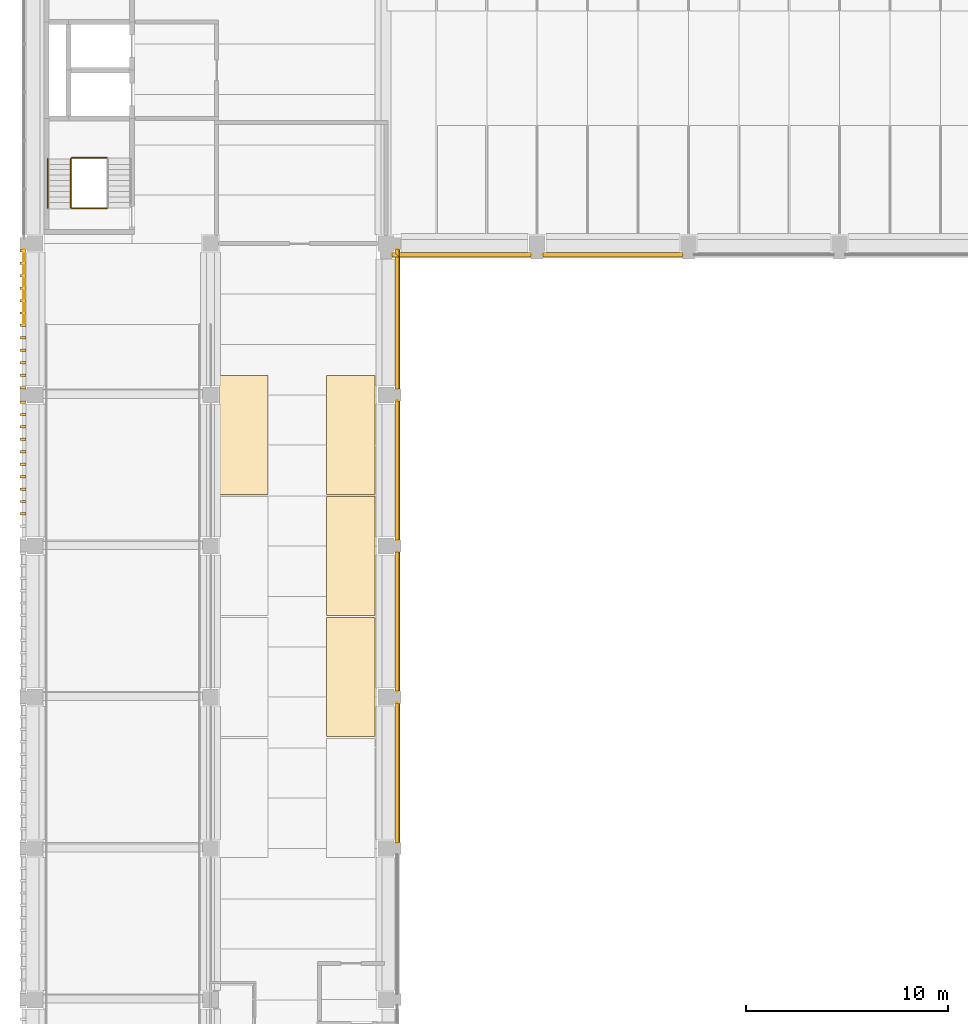
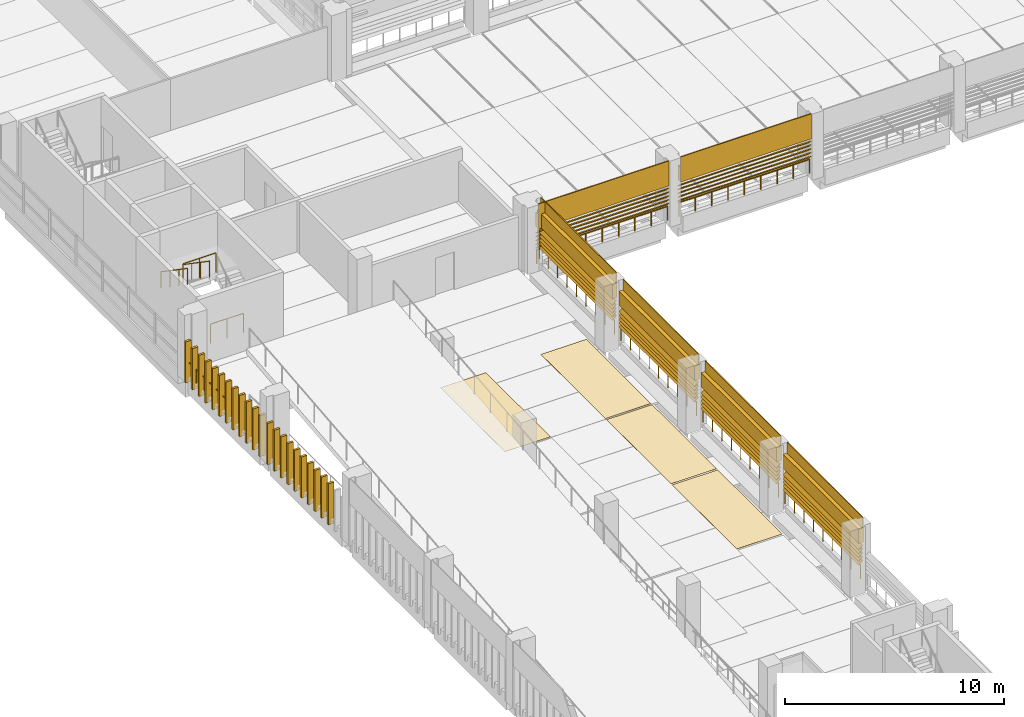
# One storey, part 43 of 61: 32 coverings, 30 shading devices, 11 railings.
"""IFC4 building model written with IfcOpenShell, lengths in metres."""

from ifc_helpers import new_model, si_unit, direction, frame, origin, origin_2d, place, context, subcontext, project, spatial, polyline, circle, outline, extrude, material, layer, layer_set, type_object, element, save


model = new_model("IFC4")

# Units and contexts
model_context = context("Model", 3, precision=1e-05, world=origin(), true_north=direction((0.0, 1.0)))
body_context = subcontext(model_context, "Body", "Model", "MODEL_VIEW")
ifc_project = project(units=[si_unit("LENGTHUNIT", "METRE"), si_unit("AREAUNIT", "SQUARE_METRE"), si_unit("VOLUMEUNIT", "CUBIC_METRE"), si_unit("PLANEANGLEUNIT", "RADIAN"), si_unit("MASSUNIT", "GRAM", prefix="KILO")], contexts=[model_context])

# Site, building, storey
site_placement = place(None, origin())
site = spatial("IfcSite", under=ifc_project, at=site_placement, CompositionType="ELEMENT")
building_placement = place(site_placement, origin())
building = spatial("IfcBuilding", under=site, at=building_placement, Name="Cour d'Honneur Mobility Palace", CompositionType="ELEMENT")
storey_placement = place(building_placement, frame((0.0, 0.0, 11.89990234375)))
storey = spatial("IfcBuildingStorey", under=building, at=storey_placement, Name="L03", CompositionType="ELEMENT", Elevation=11.89990234375)

# Railings
ifc_material_1 = material(Name="Painted steel", Category="steel")
railing_type_1 = type_object("IfcRailingType", Name="Balustrade", PredefinedType="BALUSTRADE", material=ifc_material_1)
for number, where, name in (
    (1, (17.949951171875, 15.300048828125, 0.300048828125), "Balustrade BAL-135"),
    (2, (17.949951171875, 22.800048828125, 0.300048828125), "Balustrade BAL-136"),
    (3, (17.949951171875, 30.300048828125, 0.300048828125), "Balustrade BAL-137"),
    (4, (17.949951171875, 37.800048828125, 0.300048828125), "Balustrade BAL-138"),
):
    element("IfcRailing", number, at=place(storey_placement, frame(where)), inside=storey, type_object=railing_type_1, Name=name, PredefinedType="BALUSTRADE", context=body_context, shape_type="SweptSolid", body=[
        extrude(circle(Radius=0.02392578125, at=origin_2d()), frame((0.0, 0.0, 0.77587890625), z_axis=(0.0, 1.0, 0.0), x_axis=(-1.0, 0.0, 0.0)), (0.0, 0.0, 1.0), 6.89990234375),
        extrude(circle(Radius=0.02099609375, at=origin_2d()), origin(), (0.0, 0.0, 1.0), 0.751953125),
        extrude(circle(Radius=0.02099609375, at=origin_2d()), frame((0.0, 0.862548828125, 0.0)), (0.0, 0.0, 1.0), 0.751953125),
        extrude(circle(Radius=0.02099609375, at=origin_2d()), frame((0.0, 1.72509765625, 0.0)), (0.0, 0.0, 1.0), 0.751953125),
        extrude(circle(Radius=0.02099609375, at=origin_2d()), frame((0.0, 2.58740234375, 0.0)), (0.0, 0.0, 1.0), 0.751953125),
        extrude(circle(Radius=0.02099609375, at=origin_2d()), frame((0.0, 3.449951171875, 0.0)), (0.0, 0.0, 1.0), 0.751953125),
        extrude(circle(Radius=0.02099609375, at=origin_2d()), frame((0.0, 4.3125, 0.0)), (0.0, 0.0, 1.0), 0.751953125),
        extrude(circle(Radius=0.02099609375, at=origin_2d()), frame((0.0, 5.1748046875, 0.0)), (0.0, 0.0, 1.0), 0.751953125),
        extrude(circle(Radius=0.02099609375, at=origin_2d()), frame((0.0, 6.037353515625, 0.0)), (0.0, 0.0, 1.0), 0.751953125),
        extrude(circle(Radius=0.02099609375, at=origin_2d()), frame((0.0, 6.89990234375, 0.0)), (0.0, 0.0, 1.0), 0.751953125),
    ])
for number, where, name in (
    (5, (17.699951171875, 44.449951171875, 0.300048828125), "Balustrade BAL-139"),
    (6, (25.199951171875, 44.449951171875, 0.300048828125), "Balustrade BAL-140"),
):
    element("IfcRailing", number, at=place(storey_placement, frame(where)), inside=storey, type_object=railing_type_1, Name=name, PredefinedType="BALUSTRADE", context=body_context, shape_type="SweptSolid", body=[
        extrude(circle(Radius=0.02392578125, at=origin_2d()), frame((0.0, 0.0, 0.77587890625), z_axis=(1.0, 0.0, 0.0), x_axis=(0.0, 1.0, 0.0)), (0.0, 0.0, 1.0), 6.900146484375),
        extrude(circle(Radius=0.02099609375, at=origin_2d()), origin(), (0.0, 0.0, 1.0), 0.751953125),
        extrude(circle(Radius=0.02099609375, at=origin_2d()), frame((0.862548828125, 0.0, 0.0)), (0.0, 0.0, 1.0), 0.751953125),
        extrude(circle(Radius=0.02099609375, at=origin_2d()), frame((1.72509765625, 0.0, 0.0)), (0.0, 0.0, 1.0), 0.751953125),
        extrude(circle(Radius=0.02099609375, at=origin_2d()), frame((2.587646484375, 0.0, 0.0)), (0.0, 0.0, 1.0), 0.751953125),
        extrude(circle(Radius=0.02099609375, at=origin_2d()), frame((3.4501953125, 0.0, 0.0)), (0.0, 0.0, 1.0), 0.751953125),
        extrude(circle(Radius=0.02099609375, at=origin_2d()), frame((4.3125, 0.0, 0.0)), (0.0, 0.0, 1.0), 0.751953125),
        extrude(circle(Radius=0.02099609375, at=origin_2d()), frame((5.175048828125, 0.0, 0.0)), (0.0, 0.0, 1.0), 0.751953125),
        extrude(circle(Radius=0.02099609375, at=origin_2d()), frame((6.03759765625, 0.0, 0.0)), (0.0, 0.0, 1.0), 0.751953125),
        extrude(circle(Radius=0.02099609375, at=origin_2d()), frame((6.900146484375, 0.0, 0.0)), (0.0, 0.0, 1.0), 0.751953125),
    ])
railing_placement = place(storey_placement, frame((-0.550048828125, 44.699951171875, 0.300048828125)))
element("IfcRailing", 7, at=railing_placement, inside=storey, type_object=railing_type_1, Name="Balustrade BAL-194", PredefinedType="BALUSTRADE", context=body_context, shape_type="SweptSolid", body=[
    extrude(circle(Radius=0.02392578125, at=origin_2d()), frame((0.0, 0.0, 0.77587890625), z_axis=(0.0, -1.0, 0.0), x_axis=(1.0, 0.0, 0.0)), (0.0, 0.0, 1.0), 3.699951171875),
    extrude(circle(Radius=0.02099609375, at=origin_2d()), origin(), (0.0, 0.0, 1.0), 0.751953125),
    extrude(circle(Radius=0.02099609375, at=origin_2d()), frame((0.0, -0.739990234375, 0.0)), (0.0, 0.0, 1.0), 0.751953125),
    extrude(circle(Radius=0.02099609375, at=origin_2d()), frame((0.0, -1.47998046875, 0.0)), (0.0, 0.0, 1.0), 0.751953125),
    extrude(circle(Radius=0.02099609375, at=origin_2d()), frame((0.0, -2.219970703125, 0.0)), (0.0, 0.0, 1.0), 0.751953125),
    extrude(circle(Radius=0.02099609375, at=origin_2d()), frame((0.0, -2.9599609375, 0.0)), (0.0, 0.0, 1.0), 0.751953125),
    extrude(circle(Radius=0.02099609375, at=origin_2d()), frame((0.0, -3.699951171875, 0.0)), (0.0, 0.0, 1.0), 0.751953125),
])
ifc_material_2 = material(Name="Painted steel", Category="steel")
railing_type_2 = type_object("IfcRailingType", Name="Guardrail 1100", PredefinedType="GUARDRAIL", material=ifc_material_2)
for number, where, name in (
    (8, (1.824951171875, 46.7548828125, 0.0), "Guard ST-CW1"),
    (9, (1.824951171875, 49.264892578125, 1.85009765625), "Landing guard ST-CW1"),
):
    element("IfcRailing", number, at=place(storey_placement, frame(where)), inside=storey, type_object=railing_type_2, Name=name, PredefinedType="GUARDRAIL", context=body_context, shape_type="SweptSolid", body=[
        extrude(circle(Radius=0.02490234375, at=origin_2d()), frame((0.0, 0.0, 1.0751953125), z_axis=(1.0, 0.0, 0.0), x_axis=(0.0, 1.0, 0.0)), (0.0, 0.0, 1.0), 1.72509765625),
        extrude(circle(Radius=0.02099609375, at=origin_2d()), origin(), (0.0, 0.0, 1.0), 1.050048828125),
        extrude(circle(Radius=0.02099609375, at=origin_2d()), frame((0.862548828125, 0.0, 0.0)), (0.0, 0.0, 1.0), 1.050048828125),
        extrude(circle(Radius=0.02099609375, at=origin_2d()), frame((1.72509765625, 0.0, 0.0)), (0.0, 0.0, 1.0), 1.050048828125),
    ])
ifc_material_3 = material(Name="Stainless steel", Category="steel")
railing_type_3 = type_object("IfcRailingType", Name="Handrail round 50", PredefinedType="HANDRAIL", material=ifc_material_3)
for number, where, name in (
    (10, (1.77490234375, 49.205078125, 2.03515625), "Handrail ST-CW1"),
    (11, (0.625, 49.205078125, 2.03515625), "Handrail ST-CW1"),
):
    element("IfcRailing", number, at=place(storey_placement, frame(where)), inside=storey, type_object=railing_type_3, Name=name, PredefinedType="HANDRAIL", context=body_context, shape_type="SweptSolid", body=[
        extrude(circle(Radius=0.02490234375, at=origin_2d()), frame((0.0, 0.0, 0.89501953125), z_axis=(0.0, -0.824945253146, 0.565212640793), x_axis=(1.0, 0.0, 0.0)), (0.0, 0.0, 1.0), 2.94580078125),
        extrude(circle(Radius=0.02099609375, at=origin_2d()), origin(), (0.0, 0.0, 1.0), 0.869873046875),
        extrude(circle(Radius=0.02099609375, at=origin_2d()), frame((0.0, -0.81005859375, 0.554931640625)), (0.0, 0.0, 1.0), 0.869873046875),
        extrude(circle(Radius=0.02099609375, at=origin_2d()), frame((0.0, -1.6201171875, 1.110107421875)), (0.0, 0.0, 1.0), 0.869873046875),
        extrude(circle(Radius=0.02099609375, at=origin_2d()), frame((0.0, -2.43017578125, 1.6650390625)), (0.0, 0.0, 1.0), 0.869873046875),
    ])

# Coverings
ifc_material_4 = material(Name="Parking marking paint")
ifc_layer_1 = layer(ifc_material_4, 0.0048828125)
ifc_layer_set_1 = layer_set([ifc_layer_1], Name="Parking marking paint")
covering_type_1 = type_object("IfcCoveringType", Name="Parking bay marking", PredefinedType="FLOORING", material=ifc_layer_set_1)
covering_1_placement = place(storey_placement, origin())
element("IfcCovering", 12, at=covering_1_placement, inside=storey, type_object=covering_type_1, Name="Parking bay marking L03 89", PredefinedType="FLOORING", context=body_context, shape_type="SweptSolid", body=[
    extrude(outline(polyline([(11.550048828125, 32.550048828125), (9.14990234375, 32.550048828125), (9.14990234375, 38.449951171875), (11.550048828125, 38.449951171875), (11.550048828125, 32.550048828125)])), origin(), (0.0, 0.0, 1.0), 0.005126953125),
])
covering_2_placement = place(storey_placement, origin())
element("IfcCovering", 13, at=covering_2_placement, inside=storey, type_object=covering_type_1, Name="Parking bay marking L03 91", PredefinedType="FLOORING", context=body_context, shape_type="SweptSolid", body=[
    extrude(outline(polyline([(16.85009765625, 20.550048828125), (14.449951171875, 20.550048828125), (14.449951171875, 26.449951171875), (16.85009765625, 26.449951171875), (16.85009765625, 20.550048828125)])), origin(), (0.0, 0.0, 1.0), 0.005126953125),
])
covering_3_placement = place(storey_placement, origin())
element("IfcCovering", 14, at=covering_3_placement, inside=storey, type_object=covering_type_1, Name="Parking bay marking L03 92", PredefinedType="FLOORING", context=body_context, shape_type="SweptSolid", body=[
    extrude(outline(polyline([(16.85009765625, 26.550048828125), (14.449951171875, 26.550048828125), (14.449951171875, 32.449951171875), (16.85009765625, 32.449951171875), (16.85009765625, 26.550048828125)])), origin(), (0.0, 0.0, 1.0), 0.005126953125),
])
covering_4_placement = place(storey_placement, origin())
element("IfcCovering", 15, at=covering_4_placement, inside=storey, type_object=covering_type_1, Name="Parking bay marking L03 93", PredefinedType="FLOORING", context=body_context, shape_type="SweptSolid", body=[
    extrude(outline(polyline([(16.85009765625, 32.550048828125), (14.449951171875, 32.550048828125), (14.449951171875, 38.449951171875), (16.85009765625, 38.449951171875), (16.85009765625, 32.550048828125)])), origin(), (0.0, 0.0, 1.0), 0.005126953125),
])
ifc_material_5 = material(Name="Cast limestone", Category="masonry")
ifc_layer_2 = layer(ifc_material_5, 0.1201171875)
ifc_layer_set_2 = layer_set([ifc_layer_2], Name="Cast limestone")
covering_type_2 = type_object("IfcCoveringType", Name="Ramp screen fin", PredefinedType="CLADDING", material=ifc_layer_set_2)
covering_5_placement = place(storey_placement, origin())
element("IfcCovering", 16, at=covering_5_placement, inside=storey, type_object=covering_type_2, Name="Ramp screen fin W11.8 L03 1", PredefinedType="CLADDING", context=body_context, shape_type="SweptSolid", body=[
    extrude(outline(polyline([(-0.449951171875, 44.699951171875), (-0.449951171875, 44.580078125), (-0.75, 44.580078125), (-0.75, 44.699951171875), (-0.449951171875, 44.699951171875)])), origin(), (0.0, 0.0, 1.0), 2.300048828125),
])
covering_6_placement = place(storey_placement, origin())
element("IfcCovering", 17, at=covering_6_placement, inside=storey, type_object=covering_type_2, Name="Ramp screen fin W11.8 L03 2", PredefinedType="CLADDING", context=body_context, shape_type="SweptSolid", body=[
    extrude(outline(polyline([(-0.449951171875, 44.083740234375), (-0.449951171875, 43.963623046875), (-0.75, 43.963623046875), (-0.75, 44.083740234375), (-0.449951171875, 44.083740234375)])), origin(), (0.0, 0.0, 1.0), 2.300048828125),
])
covering_7_placement = place(storey_placement, origin())
element("IfcCovering", 18, at=covering_7_placement, inside=storey, type_object=covering_type_2, Name="Ramp screen fin W11.8 L03 3", PredefinedType="CLADDING", context=body_context, shape_type="SweptSolid", body=[
    extrude(outline(polyline([(-0.449951171875, 43.46728515625), (-0.449951171875, 43.34716796875), (-0.75, 43.34716796875), (-0.75, 43.46728515625), (-0.449951171875, 43.46728515625)])), origin(), (0.0, 0.0, 1.0), 2.300048828125),
])
covering_8_placement = place(storey_placement, origin())
element("IfcCovering", 19, at=covering_8_placement, inside=storey, type_object=covering_type_2, Name="Ramp screen fin W11.8 L03 4", PredefinedType="CLADDING", context=body_context, shape_type="SweptSolid", body=[
    extrude(outline(polyline([(-0.449951171875, 42.850830078125), (-0.449951171875, 42.73095703125), (-0.75, 42.73095703125), (-0.75, 42.850830078125), (-0.449951171875, 42.850830078125)])), origin(), (0.0, 0.0, 1.0), 2.300048828125),
])
covering_9_placement = place(storey_placement, origin())
element("IfcCovering", 20, at=covering_9_placement, inside=storey, type_object=covering_type_2, Name="Ramp screen fin W11.8 L03 5", PredefinedType="CLADDING", context=body_context, shape_type="SweptSolid", body=[
    extrude(outline(polyline([(-0.449951171875, 42.234619140625), (-0.449951171875, 42.114501953125), (-0.75, 42.114501953125), (-0.75, 42.234619140625), (-0.449951171875, 42.234619140625)])), origin(), (0.0, 0.0, 1.0), 2.300048828125),
])
covering_10_placement = place(storey_placement, origin())
element("IfcCovering", 21, at=covering_10_placement, inside=storey, type_object=covering_type_2, Name="Ramp screen fin W11.8 L03 6", PredefinedType="CLADDING", context=body_context, shape_type="SweptSolid", body=[
    extrude(outline(polyline([(-0.449951171875, 41.6181640625), (-0.449951171875, 41.498291015625), (-0.75, 41.498291015625), (-0.75, 41.6181640625), (-0.449951171875, 41.6181640625)])), origin(), (0.0, 0.0, 1.0), 2.300048828125),
])
covering_11_placement = place(storey_placement, origin())
element("IfcCovering", 22, at=covering_11_placement, inside=storey, type_object=covering_type_2, Name="Ramp screen fin W11.8 L03 7", PredefinedType="CLADDING", context=body_context, shape_type="SweptSolid", body=[
    extrude(outline(polyline([(-0.449951171875, 41.001708984375), (-0.449951171875, 40.8818359375), (-0.75, 40.8818359375), (-0.75, 41.001708984375), (-0.449951171875, 41.001708984375)])), origin(), (0.0, 0.0, 1.0), 2.300048828125),
])
covering_12_placement = place(storey_placement, origin())
element("IfcCovering", 23, at=covering_12_placement, inside=storey, type_object=covering_type_2, Name="Ramp screen fin W11.8 L03 8", PredefinedType="CLADDING", context=body_context, shape_type="SweptSolid", body=[
    extrude(outline(polyline([(-0.449951171875, 40.385498046875), (-0.449951171875, 40.265380859375), (-0.75, 40.265380859375), (-0.75, 40.385498046875), (-0.449951171875, 40.385498046875)])), origin(), (0.0, 0.0, 1.0), 2.300048828125),
])
covering_13_placement = place(storey_placement, origin())
element("IfcCovering", 24, at=covering_13_placement, inside=storey, type_object=covering_type_2, Name="Ramp screen fin W11.8 L03 9", PredefinedType="CLADDING", context=body_context, shape_type="SweptSolid", body=[
    extrude(outline(polyline([(-0.449951171875, 39.76904296875), (-0.449951171875, 39.649169921875), (-0.75, 39.649169921875), (-0.75, 39.76904296875), (-0.449951171875, 39.76904296875)])), origin(), (0.0, 0.0, 1.0), 2.300048828125),
])
covering_14_placement = place(storey_placement, origin())
element("IfcCovering", 25, at=covering_14_placement, inside=storey, type_object=covering_type_2, Name="Ramp screen fin W11.8 L03 10", PredefinedType="CLADDING", context=body_context, shape_type="SweptSolid", body=[
    extrude(outline(polyline([(-0.449951171875, 39.15283203125), (-0.449951171875, 39.03271484375), (-0.75, 39.03271484375), (-0.75, 39.15283203125), (-0.449951171875, 39.15283203125)])), origin(), (0.0, 0.0, 1.0), 2.300048828125),
])
covering_15_placement = place(storey_placement, origin())
element("IfcCovering", 26, at=covering_15_placement, inside=storey, type_object=covering_type_2, Name="Ramp screen fin W11.8 L03 11", PredefinedType="CLADDING", context=body_context, shape_type="SweptSolid", body=[
    extrude(outline(polyline([(-0.449951171875, 38.536376953125), (-0.449951171875, 38.416259765625), (-0.75, 38.416259765625), (-0.75, 38.536376953125), (-0.449951171875, 38.536376953125)])), origin(), (0.0, 0.0, 1.0), 2.300048828125),
])
covering_16_placement = place(storey_placement, origin())
element("IfcCovering", 27, at=covering_16_placement, inside=storey, type_object=covering_type_2, Name="Ramp screen fin W11.8 L03 12", PredefinedType="CLADDING", context=body_context, shape_type="SweptSolid", body=[
    extrude(outline(polyline([(-0.449951171875, 37.919921875), (-0.449951171875, 37.800048828125), (-0.75, 37.800048828125), (-0.75, 37.919921875), (-0.449951171875, 37.919921875)])), origin(), (0.0, 0.0, 1.0), 2.300048828125),
])
covering_17_placement = place(storey_placement, origin())
element("IfcCovering", 28, at=covering_17_placement, inside=storey, type_object=covering_type_2, Name="Ramp screen fin W11.9 L03 1", PredefinedType="CLADDING", context=body_context, shape_type="SweptSolid", body=[
    extrude(outline(polyline([(-0.449951171875, 37.199951171875), (-0.449951171875, 37.080078125), (-0.75, 37.080078125), (-0.75, 37.199951171875), (-0.449951171875, 37.199951171875)])), origin(), (0.0, 0.0, 1.0), 2.300048828125),
])
covering_18_placement = place(storey_placement, origin())
element("IfcCovering", 29, at=covering_18_placement, inside=storey, type_object=covering_type_2, Name="Ramp screen fin W11.9 L03 2", PredefinedType="CLADDING", context=body_context, shape_type="SweptSolid", body=[
    extrude(outline(polyline([(-0.449951171875, 36.583740234375), (-0.449951171875, 36.463623046875), (-0.75, 36.463623046875), (-0.75, 36.583740234375), (-0.449951171875, 36.583740234375)])), origin(), (0.0, 0.0, 1.0), 2.300048828125),
])
covering_19_placement = place(storey_placement, origin())
element("IfcCovering", 30, at=covering_19_placement, inside=storey, type_object=covering_type_2, Name="Ramp screen fin W11.9 L03 3", PredefinedType="CLADDING", context=body_context, shape_type="SweptSolid", body=[
    extrude(outline(polyline([(-0.449951171875, 35.96728515625), (-0.449951171875, 35.84716796875), (-0.75, 35.84716796875), (-0.75, 35.96728515625), (-0.449951171875, 35.96728515625)])), origin(), (0.0, 0.0, 1.0), 2.300048828125),
])
covering_20_placement = place(storey_placement, origin())
element("IfcCovering", 31, at=covering_20_placement, inside=storey, type_object=covering_type_2, Name="Ramp screen fin W11.9 L03 4", PredefinedType="CLADDING", context=body_context, shape_type="SweptSolid", body=[
    extrude(outline(polyline([(-0.449951171875, 35.350830078125), (-0.449951171875, 35.23095703125), (-0.75, 35.23095703125), (-0.75, 35.350830078125), (-0.449951171875, 35.350830078125)])), origin(), (0.0, 0.0, 1.0), 2.300048828125),
])
covering_21_placement = place(storey_placement, origin())
element("IfcCovering", 32, at=covering_21_placement, inside=storey, type_object=covering_type_2, Name="Ramp screen fin W11.9 L03 5", PredefinedType="CLADDING", context=body_context, shape_type="SweptSolid", body=[
    extrude(outline(polyline([(-0.449951171875, 34.734619140625), (-0.449951171875, 34.614501953125), (-0.75, 34.614501953125), (-0.75, 34.734619140625), (-0.449951171875, 34.734619140625)])), origin(), (0.0, 0.0, 1.0), 2.300048828125),
])
covering_22_placement = place(storey_placement, origin())
element("IfcCovering", 33, at=covering_22_placement, inside=storey, type_object=covering_type_2, Name="Ramp screen fin W11.9 L03 6", PredefinedType="CLADDING", context=body_context, shape_type="SweptSolid", body=[
    extrude(outline(polyline([(-0.449951171875, 34.1181640625), (-0.449951171875, 33.998291015625), (-0.75, 33.998291015625), (-0.75, 34.1181640625), (-0.449951171875, 34.1181640625)])), origin(), (0.0, 0.0, 1.0), 2.300048828125),
])
covering_23_placement = place(storey_placement, origin())
element("IfcCovering", 34, at=covering_23_placement, inside=storey, type_object=covering_type_2, Name="Ramp screen fin W11.9 L03 7", PredefinedType="CLADDING", context=body_context, shape_type="SweptSolid", body=[
    extrude(outline(polyline([(-0.449951171875, 33.501708984375), (-0.449951171875, 33.3818359375), (-0.75, 33.3818359375), (-0.75, 33.501708984375), (-0.449951171875, 33.501708984375)])), origin(), (0.0, 0.0, 1.0), 2.300048828125),
])
covering_24_placement = place(storey_placement, origin())
element("IfcCovering", 35, at=covering_24_placement, inside=storey, type_object=covering_type_2, Name="Ramp screen fin W11.9 L03 8", PredefinedType="CLADDING", context=body_context, shape_type="SweptSolid", body=[
    extrude(outline(polyline([(-0.449951171875, 32.885498046875), (-0.449951171875, 32.765380859375), (-0.75, 32.765380859375), (-0.75, 32.885498046875), (-0.449951171875, 32.885498046875)])), origin(), (0.0, 0.0, 1.0), 2.300048828125),
])
covering_25_placement = place(storey_placement, origin())
element("IfcCovering", 36, at=covering_25_placement, inside=storey, type_object=covering_type_2, Name="Ramp screen fin W11.9 L03 9", PredefinedType="CLADDING", context=body_context, shape_type="SweptSolid", body=[
    extrude(outline(polyline([(-0.449951171875, 32.26904296875), (-0.449951171875, 32.149169921875), (-0.75, 32.149169921875), (-0.75, 32.26904296875), (-0.449951171875, 32.26904296875)])), origin(), (0.0, 0.0, 1.0), 2.300048828125),
])
covering_26_placement = place(storey_placement, origin())
element("IfcCovering", 37, at=covering_26_placement, inside=storey, type_object=covering_type_2, Name="Ramp screen fin W11.9 L03 10", PredefinedType="CLADDING", context=body_context, shape_type="SweptSolid", body=[
    extrude(outline(polyline([(-0.449951171875, 31.65283203125), (-0.449951171875, 31.53271484375), (-0.75, 31.53271484375), (-0.75, 31.65283203125), (-0.449951171875, 31.65283203125)])), origin(), (0.0, 0.0, 1.0), 2.300048828125),
])
ifc_material_6 = material(Name="Cast limestone", Category="masonry")
ifc_layer_3 = layer(ifc_material_6, 0.25)
ifc_layer_set_3 = layer_set([ifc_layer_3], Name="Cast limestone")
covering_type_3 = type_object("IfcCoveringType", Name="Spandrel cladding", PredefinedType="CLADDING", material=ifc_layer_set_3)
for number, where, z_axis, x_axis, name in (
    (38, (17.85009765625, 15.300048828125, 2.300048828125), (0.0, -1.0, 0.0), (1.0, 0.0, 0.0), "Spandrel cladding SK-208"),
    (39, (17.85009765625, 22.800048828125, 2.300048828125), (0.0, -1.0, 0.0), (1.0, 0.0, 0.0), "Spandrel cladding SK-209"),
    (40, (17.85009765625, 30.300048828125, 2.300048828125), (0.0, -1.0, 0.0), (1.0, 0.0, 0.0), "Spandrel cladding SK-210"),
    (41, (17.85009765625, 37.800048828125, 2.300048828125), (0.0, -1.0, 0.0), (1.0, 0.0, 0.0), "Spandrel cladding SK-211"),
    (42, (17.699951171875, 44.550048828125, 2.300048828125), (-1.0, 0.0, 0.0), (0.0, -1.0, 0.0), "Spandrel cladding SK-212"),
    (43, (25.199951171875, 44.550048828125, 2.300048828125), (-1.0, 0.0, 0.0), (0.0, -1.0, 0.0), "Spandrel cladding SK-213"),
):
    element("IfcCovering", number, at=place(storey_placement, frame(where, z_axis=z_axis, x_axis=x_axis)), inside=storey, type_object=covering_type_3, Name=name, PredefinedType="CLADDING", context=body_context, shape_type="SweptSolid", body=[
        extrude(outline(polyline([(0.0, 0.0), (0.25, 0.0), (0.25, 1.400146484375), (0.199951171875, 1.400146484375), (0.199951171875, 0.800048828125), (0.0, 0.800048828125), (0.0, 0.0)])), origin(), (0.0, 0.0, -1.0), 6.89990234375),
    ])

# Shading devices
ifc_material_7 = material(Name="Terracotta", Category="masonry")
ifc_layer_4 = layer(ifc_material_7, 0.02490234375)
ifc_layer_set_4 = layer_set([ifc_layer_4], Name="Terracotta")
shading_device_type = type_object("IfcShadingDeviceType", Name="Terracotta louvre blade", PredefinedType="JALOUSIE", material=ifc_layer_set_4)
for number, where, z_axis, x_axis, name in (
    (44, (17.843994140625, 15.300048828125, 1.10009765625), (-0.707106781187, 0.0, 0.707106781187), (0.0, 1.0, 0.0), "Louvre blade LV-1 E1.2 L03 1"),
    (45, (17.843994140625, 15.300048828125, 1.312255859375), (-0.707106781187, 0.0, 0.707106781187), (0.0, 1.0, 0.0), "Louvre blade LV-1 E1.2 L03 2"),
    (46, (17.843994140625, 15.300048828125, 1.5244140625), (-0.707106781187, 0.0, 0.707106781187), (0.0, 1.0, 0.0), "Louvre blade LV-1 E1.2 L03 3"),
    (47, (17.843994140625, 15.300048828125, 1.736572265625), (-0.707106781187, 0.0, 0.707106781187), (0.0, 1.0, 0.0), "Louvre blade LV-1 E1.2 L03 4"),
):
    element("IfcShadingDevice", number, at=place(storey_placement, frame(where, z_axis=z_axis, x_axis=x_axis)), inside=storey, type_object=shading_device_type, Name=name, PredefinedType="JALOUSIE", context=body_context, shape_type="SweptSolid", body=[
        extrude(outline(polyline([(0.0, 0.0), (6.89990234375, 0.0), (6.89990234375, -0.300037008228081), (0.0, -0.300037008228081), (0.0, 0.0)])), origin(), (0.0, 0.0, -1.0), 0.02490234375),
    ])
shading_device_1_placement = place(storey_placement, frame((17.843994140625, 15.300048828125, 1.94873046875), z_axis=(-0.706699578995, 0.0, 0.707513749017), x_axis=(0.0, 1.0, 0.0)))
element("IfcShadingDevice", 48, at=shading_device_1_placement, inside=storey, type_object=shading_device_type, Name="Louvre blade LV-1 E1.2 L03 5", PredefinedType="JALOUSIE", context=body_context, shape_type="SweptSolid", body=[
    extrude(outline(polyline([(0.0, 0.0), (6.89990234375, 0.0), (6.89990234375, -0.29986442442957895), (0.0, -0.29986442442957895), (0.0, 0.0)])), origin(), (0.0, 0.0, -1.0), 0.02490234375),
])
for number, where, z_axis, x_axis, name in (
    (49, (17.843994140625, 22.800048828125, 1.10009765625), (-0.707106781187, 0.0, 0.707106781187), (0.0, 1.0, 0.0), "Louvre blade LV-1 E1.3 L03 1"),
    (50, (17.843994140625, 22.800048828125, 1.312255859375), (-0.707106781187, 0.0, 0.707106781187), (0.0, 1.0, 0.0), "Louvre blade LV-1 E1.3 L03 2"),
    (51, (17.843994140625, 22.800048828125, 1.5244140625), (-0.707106781187, 0.0, 0.707106781187), (0.0, 1.0, 0.0), "Louvre blade LV-1 E1.3 L03 3"),
    (52, (17.843994140625, 22.800048828125, 1.736572265625), (-0.707106781187, 0.0, 0.707106781187), (0.0, 1.0, 0.0), "Louvre blade LV-1 E1.3 L03 4"),
):
    element("IfcShadingDevice", number, at=place(storey_placement, frame(where, z_axis=z_axis, x_axis=x_axis)), inside=storey, type_object=shading_device_type, Name=name, PredefinedType="JALOUSIE", context=body_context, shape_type="SweptSolid", body=[
        extrude(outline(polyline([(0.0, 0.0), (6.89990234375, 0.0), (6.89990234375, -0.300037008228081), (0.0, -0.300037008228081), (0.0, 0.0)])), origin(), (0.0, 0.0, -1.0), 0.02490234375),
    ])
shading_device_2_placement = place(storey_placement, frame((17.843994140625, 22.800048828125, 1.94873046875), z_axis=(-0.706699578995, 0.0, 0.707513749017), x_axis=(0.0, 1.0, 0.0)))
element("IfcShadingDevice", 53, at=shading_device_2_placement, inside=storey, type_object=shading_device_type, Name="Louvre blade LV-1 E1.3 L03 5", PredefinedType="JALOUSIE", context=body_context, shape_type="SweptSolid", body=[
    extrude(outline(polyline([(0.0, 0.0), (6.89990234375, 0.0), (6.89990234375, -0.29986442442957895), (0.0, -0.29986442442957895), (0.0, 0.0)])), origin(), (0.0, 0.0, -1.0), 0.02490234375),
])
for number, where, z_axis, x_axis, name in (
    (54, (17.843994140625, 30.300048828125, 1.10009765625), (-0.707106781187, 0.0, 0.707106781187), (0.0, 1.0, 0.0), "Louvre blade LV-1 E1.4 L03 1"),
    (55, (17.843994140625, 30.300048828125, 1.312255859375), (-0.707106781187, 0.0, 0.707106781187), (0.0, 1.0, 0.0), "Louvre blade LV-1 E1.4 L03 2"),
    (56, (17.843994140625, 30.300048828125, 1.5244140625), (-0.707106781187, 0.0, 0.707106781187), (0.0, 1.0, 0.0), "Louvre blade LV-1 E1.4 L03 3"),
    (57, (17.843994140625, 30.300048828125, 1.736572265625), (-0.707106781187, 0.0, 0.707106781187), (0.0, 1.0, 0.0), "Louvre blade LV-1 E1.4 L03 4"),
):
    element("IfcShadingDevice", number, at=place(storey_placement, frame(where, z_axis=z_axis, x_axis=x_axis)), inside=storey, type_object=shading_device_type, Name=name, PredefinedType="JALOUSIE", context=body_context, shape_type="SweptSolid", body=[
        extrude(outline(polyline([(0.0, 0.0), (6.89990234375, 0.0), (6.89990234375, -0.300037008228081), (0.0, -0.300037008228081), (0.0, 0.0)])), origin(), (0.0, 0.0, -1.0), 0.02490234375),
    ])
shading_device_3_placement = place(storey_placement, frame((17.843994140625, 30.300048828125, 1.94873046875), z_axis=(-0.706699578995, 0.0, 0.707513749017), x_axis=(0.0, 1.0, 0.0)))
element("IfcShadingDevice", 58, at=shading_device_3_placement, inside=storey, type_object=shading_device_type, Name="Louvre blade LV-1 E1.4 L03 5", PredefinedType="JALOUSIE", context=body_context, shape_type="SweptSolid", body=[
    extrude(outline(polyline([(0.0, 0.0), (6.89990234375, 0.0), (6.89990234375, -0.29986442442957895), (0.0, -0.29986442442957895), (0.0, 0.0)])), origin(), (0.0, 0.0, -1.0), 0.02490234375),
])
for number, where, z_axis, x_axis, name in (
    (59, (17.843994140625, 37.800048828125, 1.10009765625), (-0.707106781187, 0.0, 0.707106781187), (0.0, 1.0, 0.0), "Louvre blade LV-1 E1.5 L03 1"),
    (60, (17.843994140625, 37.800048828125, 1.312255859375), (-0.707106781187, 0.0, 0.707106781187), (0.0, 1.0, 0.0), "Louvre blade LV-1 E1.5 L03 2"),
    (61, (17.843994140625, 37.800048828125, 1.5244140625), (-0.707106781187, 0.0, 0.707106781187), (0.0, 1.0, 0.0), "Louvre blade LV-1 E1.5 L03 3"),
    (62, (17.843994140625, 37.800048828125, 1.736572265625), (-0.707106781187, 0.0, 0.707106781187), (0.0, 1.0, 0.0), "Louvre blade LV-1 E1.5 L03 4"),
):
    element("IfcShadingDevice", number, at=place(storey_placement, frame(where, z_axis=z_axis, x_axis=x_axis)), inside=storey, type_object=shading_device_type, Name=name, PredefinedType="JALOUSIE", context=body_context, shape_type="SweptSolid", body=[
        extrude(outline(polyline([(0.0, 0.0), (6.89990234375, 0.0), (6.89990234375, -0.300037008228081), (0.0, -0.300037008228081), (0.0, 0.0)])), origin(), (0.0, 0.0, -1.0), 0.02490234375),
    ])
shading_device_4_placement = place(storey_placement, frame((17.843994140625, 37.800048828125, 1.94873046875), z_axis=(-0.706699578995, 0.0, 0.707513749017), x_axis=(0.0, 1.0, 0.0)))
element("IfcShadingDevice", 63, at=shading_device_4_placement, inside=storey, type_object=shading_device_type, Name="Louvre blade LV-1 E1.5 L03 5", PredefinedType="JALOUSIE", context=body_context, shape_type="SweptSolid", body=[
    extrude(outline(polyline([(0.0, 0.0), (6.89990234375, 0.0), (6.89990234375, -0.29986442442957895), (0.0, -0.29986442442957895), (0.0, 0.0)])), origin(), (0.0, 0.0, -1.0), 0.02490234375),
])
for number, where, z_axis, x_axis, name in (
    (64, (17.699951171875, 44.55615234375, 1.10009765625), (0.0, 0.707106781187, 0.707106781187), (1.0, 0.0, 0.0), "Louvre blade LV-1 S2.0 L03 1"),
    (65, (17.699951171875, 44.55615234375, 1.312255859375), (0.0, 0.707106781187, 0.707106781187), (1.0, 0.0, 0.0), "Louvre blade LV-1 S2.0 L03 2"),
    (66, (17.699951171875, 44.55615234375, 1.5244140625), (0.0, 0.707106781187, 0.707106781187), (1.0, 0.0, 0.0), "Louvre blade LV-1 S2.0 L03 3"),
    (67, (17.699951171875, 44.55615234375, 1.736572265625), (0.0, 0.707106781187, 0.707106781187), (1.0, 0.0, 0.0), "Louvre blade LV-1 S2.0 L03 4"),
):
    element("IfcShadingDevice", number, at=place(storey_placement, frame(where, z_axis=z_axis, x_axis=x_axis)), inside=storey, type_object=shading_device_type, Name=name, PredefinedType="JALOUSIE", context=body_context, shape_type="SweptSolid", body=[
        extrude(outline(polyline([(0.0, 0.0), (6.900146484375, 0.0), (6.900146484375, -0.300037008228081), (0.0, -0.300037008228081), (0.0, 0.0)])), origin(), (0.0, 0.0, -1.0), 0.02490234375),
    ])
shading_device_5_placement = place(storey_placement, frame((17.699951171875, 44.55615234375, 1.94873046875), z_axis=(0.0, 0.706699578995, 0.707513749017), x_axis=(1.0, 0.0, 0.0)))
element("IfcShadingDevice", 68, at=shading_device_5_placement, inside=storey, type_object=shading_device_type, Name="Louvre blade LV-1 S2.0 L03 5", PredefinedType="JALOUSIE", context=body_context, shape_type="SweptSolid", body=[
    extrude(outline(polyline([(0.0, 0.0), (6.900146484375, 0.0), (6.900146484375, -0.29986442442957895), (0.0, -0.29986442442957895), (0.0, 0.0)])), origin(), (0.0, 0.0, -1.0), 0.02490234375),
])
for number, where, z_axis, x_axis, name in (
    (69, (25.199951171875, 44.55615234375, 1.10009765625), (0.0, 0.707106781187, 0.707106781187), (1.0, 0.0, 0.0), "Louvre blade LV-1 S2.1 L03 1"),
    (70, (25.199951171875, 44.55615234375, 1.312255859375), (0.0, 0.707106781187, 0.707106781187), (1.0, 0.0, 0.0), "Louvre blade LV-1 S2.1 L03 2"),
    (71, (25.199951171875, 44.55615234375, 1.5244140625), (0.0, 0.707106781187, 0.707106781187), (1.0, 0.0, 0.0), "Louvre blade LV-1 S2.1 L03 3"),
    (72, (25.199951171875, 44.55615234375, 1.736572265625), (0.0, 0.707106781187, 0.707106781187), (1.0, 0.0, 0.0), "Louvre blade LV-1 S2.1 L03 4"),
):
    element("IfcShadingDevice", number, at=place(storey_placement, frame(where, z_axis=z_axis, x_axis=x_axis)), inside=storey, type_object=shading_device_type, Name=name, PredefinedType="JALOUSIE", context=body_context, shape_type="SweptSolid", body=[
        extrude(outline(polyline([(0.0, 0.0), (6.900146484375, 0.0), (6.900146484375, -0.300037008228081), (0.0, -0.300037008228081), (0.0, 0.0)])), origin(), (0.0, 0.0, -1.0), 0.02490234375),
    ])
shading_device_6_placement = place(storey_placement, frame((25.199951171875, 44.55615234375, 1.94873046875), z_axis=(0.0, 0.706699578995, 0.707513749017), x_axis=(1.0, 0.0, 0.0)))
element("IfcShadingDevice", 73, at=shading_device_6_placement, inside=storey, type_object=shading_device_type, Name="Louvre blade LV-1 S2.1 L03 5", PredefinedType="JALOUSIE", context=body_context, shape_type="SweptSolid", body=[
    extrude(outline(polyline([(0.0, 0.0), (6.900146484375, 0.0), (6.900146484375, -0.29986442442957895), (0.0, -0.29986442442957895), (0.0, 0.0)])), origin(), (0.0, 0.0, -1.0), 0.02490234375),
])

save(model, "model.ifc")
